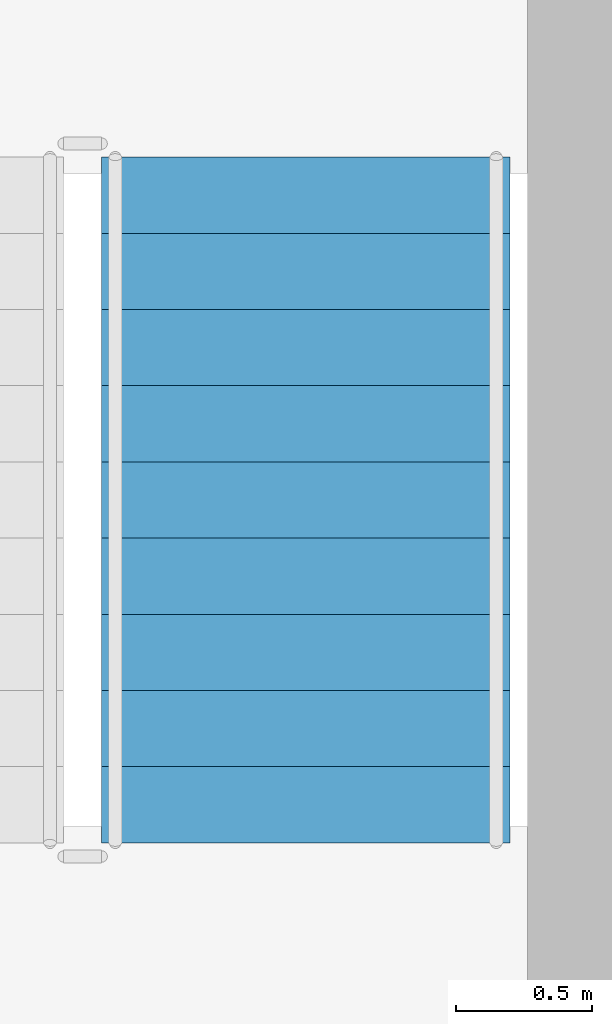
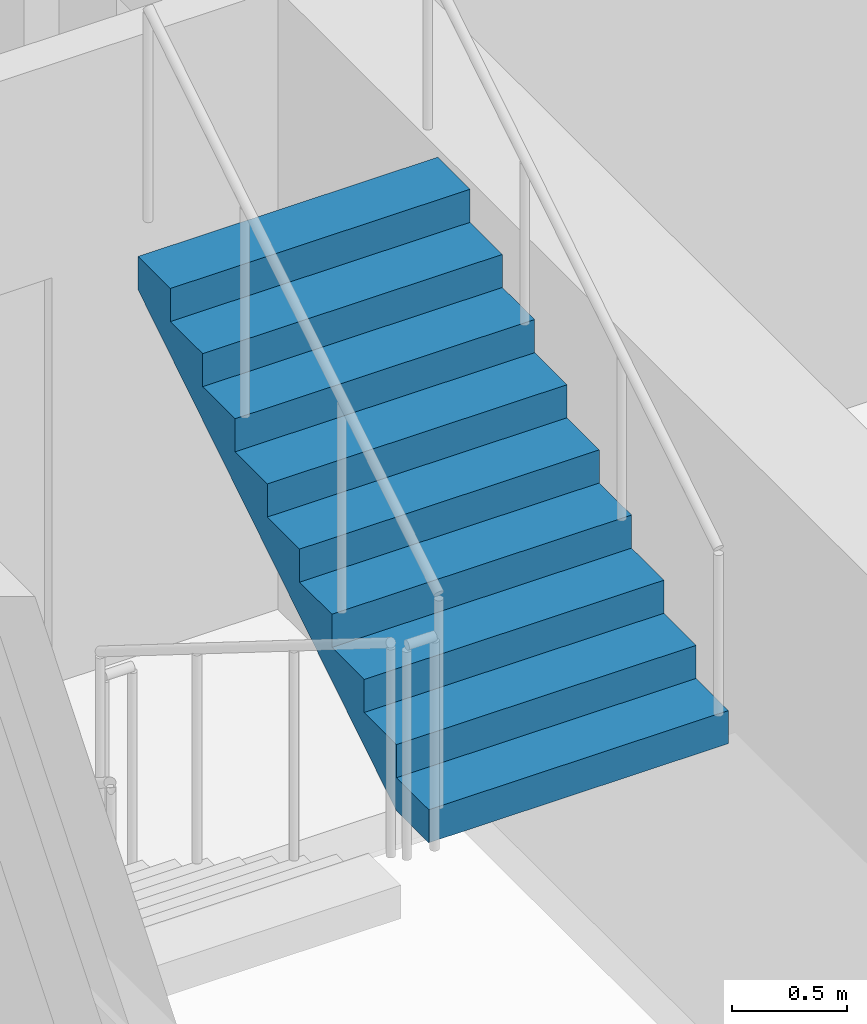
# One storey, part 7 of 11: 1 stair flight, 1 element without a shape of its own.
"""IFC4 building model written with IfcOpenShell, lengths in metres."""

from ifc_helpers import new_model, si_unit, direction, frame, origin, place, context, subcontext, project, spatial, polyline, outline, extrude, material, type_object, element, aggregate, save


model = new_model("IFC4")

# Units and contexts
model_context = context("Model", 3, precision=1e-05, world=origin(), true_north=direction((0.0, 1.0)))
body_context = subcontext(model_context, "Body", "Model", "MODEL_VIEW")
ifc_project = project(units=[si_unit("LENGTHUNIT", "METRE"), si_unit("AREAUNIT", "SQUARE_METRE"), si_unit("VOLUMEUNIT", "CUBIC_METRE"), si_unit("PLANEANGLEUNIT", "RADIAN"), si_unit("MASSUNIT", "GRAM", prefix="KILO")], contexts=[model_context])

# Site, building, storey
site_placement = place(None, origin())
site = spatial("IfcSite", under=ifc_project, at=site_placement, CompositionType="ELEMENT")
building_placement = place(site_placement, origin())
building = spatial("IfcBuilding", under=site, at=building_placement, Name="Cairnveth Concourse Tower", CompositionType="ELEMENT")
storey_placement = place(building_placement, frame((0.0, 0.0, 79.5)))
storey = spatial("IfcBuildingStorey", under=building, at=storey_placement, Name="L21", CompositionType="ELEMENT", Elevation=79.5)

# Stair, stair flight
ifc_material = material(Name="Precast concrete N50 (50 MPa)", Category="concrete")
stair_type = type_object("IfcStairType", Name="CORE DOG-LEG FIRE STAIR 1500", PredefinedType="HALF_TURN_STAIR", material=ifc_material)
stair_placement = place(storey_placement, origin())
stair = element("IfcStair", 1, at=stair_placement, inside=storey, type_object=stair_type, Name="L21 Fire-Isolated Stair ST-2", PredefinedType="HALF_TURN_STAIR")
stair_flight_type = type_object("IfcStairFlightType", Name="PRECAST CONCRETE STAIR FLIGHT 1500", PredefinedType="STRAIGHT", material=ifc_material)
stair_flight_placement = place(storey_placement, frame((59.409912109375, 34.580078125, 1.75), z_axis=(0.0, 0.0, 1.0), x_axis=(0.0, 1.0, 0.0)))
stair_flight = element("IfcStairFlight", 2, at=stair_flight_placement, type_object=stair_flight_type, Name="ST-2 flight 2", NumberOfRisers=10, NumberOfTreads=9, PredefinedType="STRAIGHT", RiserHeight=0.175, TreadLength=0.28, context=body_context, shape_type="SweptSolid", body=[
    extrude(outline(polyline([(0.0, 0.0), (0.0, 0.175048828125), (0.280029296875, 0.175048828125), (0.280029296875, 0.35009765625), (0.56005859375, 0.35009765625), (0.56005859375, 0.52490234375), (0.840087890625, 0.52490234375), (0.840087890625, 0.699951171875), (1.1201171875, 0.699951171875), (1.1201171875, 0.875), (1.39990234375, 0.875), (1.39990234375, 1.050048828125), (1.679931640625, 1.050048828125), (1.679931640625, 1.22509765625), (1.9599609375, 1.22509765625), (1.9599609375, 1.39990234375), (2.239990234375, 1.39990234375), (2.239990234375, 1.574951171875), (2.52001953125, 1.574951171875), (2.52001953125, 1.75), (2.52001953125, 1.398193359375), (0.28271484375, 0.0), (0.0, 0.0)])), frame((0.0, 0.75, 0.0), z_axis=(0.0, -1.0, 0.0), x_axis=(1.0, 0.0, 0.0)), (0.0, 0.0, 1.0), 1.5),
])
aggregate(stair, [stair_flight])

save(model, "model.ifc")
